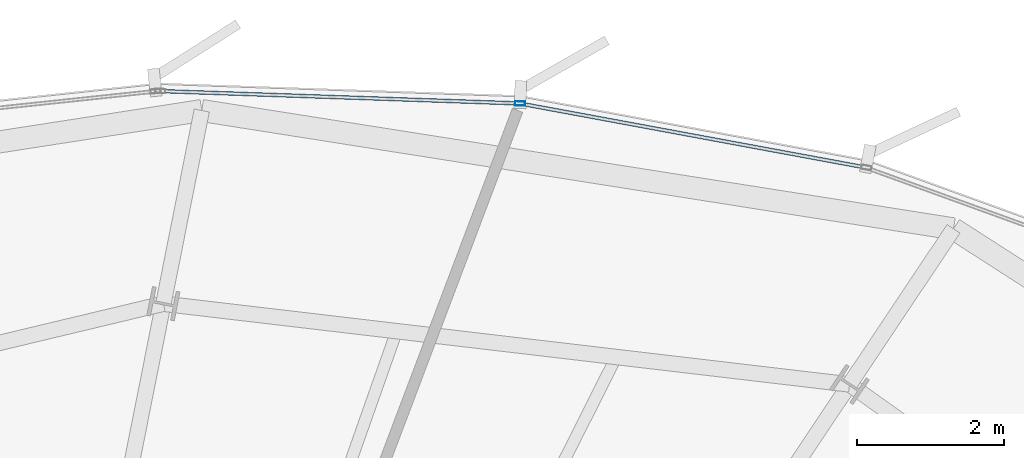
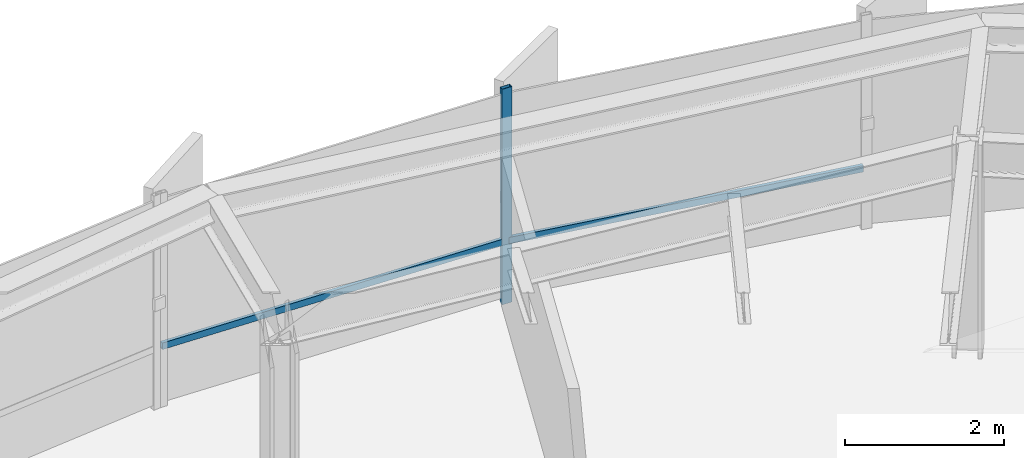
# One storey, part 27 of 35: 3 members, 1 element without a shape of its own.
"""IFC4 building model written with IfcOpenShell, lengths in metres."""

import ifcopenshell
import ifcopenshell.guid

model = None  # the IFC model being written
_history = None  # IfcOwnerHistory: only IFC2X3 demands one
_inside = {}  # id of a spatial element -> (the spatial element, [elements in it])
_under = {}  # id of a project, library or spatial element -> (it, [spatial elements below it])
_declared = {}  # id of a project -> (the project, [libraries it declares])
_typed = {}  # id of a type object -> (the type object, [elements of that type])
_made_of = {}  # id of a material, layer set ... -> (it, [elements and type objects made of it])


def new_model(schema):
    """Start an empty IFC model of exactly this schema.

    Asked for "IFC4X3", IfcOpenShell would pick the latest addendum, in which some entities
    have other attributes; the version numbers below select the first issue.
    IFC2X3 requires an IfcOwnerHistory on every rooted entity: one is made here for all.
    """
    global model, _history
    if schema == "IFC4X3":
        model = ifcopenshell.file(schema_version=(4, 3, 0, 0))
    else:
        model = ifcopenshell.file(schema=schema)
    _inside.clear()
    _under.clear()
    _declared.clear()
    _typed.clear()
    _made_of.clear()
    _history = None
    if model.schema == "IFC2X3":
        org = make("IfcOrganization", Name="unknown")
        user = make(
            "IfcPersonAndOrganization",
            ThePerson=make("IfcPerson", FamilyName="unknown"),
            TheOrganization=org,
        )
        app = make(
            "IfcApplication",
            ApplicationDeveloper=org,
            Version="unknown",
            ApplicationFullName="unknown",
            ApplicationIdentifier="unknown",
        )
        _history = make(
            "IfcOwnerHistory",
            OwningUser=user,
            OwningApplication=app,
            ChangeAction="ADDED",
            CreationDate=0,
        )
    return model


def make(cls, **values):
    """One entity of the class cls with the attributes given. An attribute that is None is left unset."""
    return model.create_entity(
        cls, **{name: value for name, value in values.items() if value is not None}
    )


def rooted(cls, **values):
    """An entity with a GlobalId (a new one), such as an element, a storey or a relation."""
    return make(cls, GlobalId=ifcopenshell.guid.new(), OwnerHistory=_history, **values)


def si_unit(unit_type, name, prefix=None):
    """IfcSIUnit, for example si_unit("LENGTHUNIT", "METRE", prefix="MILLI")."""
    return make("IfcSIUnit", UnitType=unit_type, Prefix=prefix, Name=name)


def assignment(units):
    """IfcUnitAssignment: the units of a project."""
    return None if units is None else make("IfcUnitAssignment", Units=units)


def point(xyz):
    """IfcCartesianPoint."""
    return None if xyz is None else make("IfcCartesianPoint", Coordinates=xyz)


def direction(xyz):
    """IfcDirection."""
    return None if xyz is None else make("IfcDirection", DirectionRatios=xyz)


def frame(location, z_axis=None, x_axis=None):
    """IfcAxis2Placement3D, a coordinate frame: its origin and axes. An axis left out is left unset."""
    return make(
        "IfcAxis2Placement3D",
        Location=point(location),
        Axis=direction(z_axis),
        RefDirection=direction(x_axis),
    )


def frame_2d(location, x_axis=None):
    """IfcAxis2Placement2D, a coordinate frame in the plane: its origin and x axis."""
    return make(
        "IfcAxis2Placement2D", Location=point(location), RefDirection=direction(x_axis)
    )


def origin():
    """The frame at (0, 0, 0) with its axes left unset."""
    return frame((0.0, 0.0, 0.0))


def origin_2d():
    """The frame at (0, 0) in the plane with its x axis left unset."""
    return frame_2d((0.0, 0.0))


def place(relative_to, where):
    """IfcLocalPlacement: puts the frame where relative to a parent placement (None: the world)."""
    return make(
        "IfcLocalPlacement", PlacementRelTo=relative_to, RelativePlacement=where
    )


def context(
    kind, dimensions, precision=None, world=None, true_north=None, identifier=None
):
    """IfcGeometricRepresentationContext, for example the 3D "Model" context."""
    return make(
        "IfcGeometricRepresentationContext",
        ContextIdentifier=identifier,
        ContextType=kind,
        CoordinateSpaceDimension=dimensions,
        Precision=precision,
        WorldCoordinateSystem=world,
        TrueNorth=true_north,
    )


def subcontext(parent, identifier, kind, view, scale=None):
    """IfcGeometricRepresentationSubContext, for example "Body" below "Model"."""
    return make(
        "IfcGeometricRepresentationSubContext",
        ContextIdentifier=identifier,
        ContextType=kind,
        ParentContext=parent,
        TargetScale=scale,
        TargetView=view,
    )


def project(units=None, contexts=None):
    """IfcProject with its units and contexts."""
    return rooted(
        "IfcProject",
        Name="project",
        RepresentationContexts=contexts,
        UnitsInContext=assignment(units),
    )


def spatial(cls, under=None, at=None, **own):
    """A site, building, storey or space (cls), placed at a placement, below another one or the project."""
    s = rooted(cls, ObjectPlacement=at, **own)
    if under is not None:
        _under.setdefault(under.id(), (under, []))[1].append(s)
    return s


def profile(cls, at=None, kind="AREA", **sizes):
    """A parametric profile (cls). Its sizes go by their IFC names, for example OverallWidth=200.0."""
    return make(cls, ProfileType=kind, Position=at, **sizes)


def hollow_rectangle(**sizes):
    """IfcRectangleHollowProfileDef."""
    return profile("IfcRectangleHollowProfileDef", **sizes)


def extrude(swept, where, along, depth):
    """IfcExtrudedAreaSolid: the profile swept, set in the frame where, extruded along a direction by depth."""
    return make(
        "IfcExtrudedAreaSolid",
        SweptArea=swept,
        Position=where,
        ExtrudedDirection=direction(along),
        Depth=depth,
    )


def shape(context_of_items, identifier, shape_type, items):
    """IfcShapeRepresentation: the items that make up one representation, for example the "Body"."""
    return make(
        "IfcShapeRepresentation",
        ContextOfItems=context_of_items,
        RepresentationIdentifier=identifier,
        RepresentationType=shape_type,
        Items=items,
    )


def source(mapping_origin, context_of_items, identifier, shape_type, items):
    """IfcRepresentationMap: a shape defined once, which mapped items show again and again."""
    return make(
        "IfcRepresentationMap",
        MappingOrigin=mapping_origin,
        MappedRepresentation=shape(context_of_items, identifier, shape_type, items),
    )


def transform(
    local_origin,
    x_axis=None,
    y_axis=None,
    z_axis=None,
    scale=None,
    scale2=None,
    scale3=None,
    uniform=True,
):
    """IfcCartesianTransformationOperator3D, or its non-uniform kind. x_axis, y_axis, z_axis: its Axis1, 2, 3."""
    if uniform:
        return make(
            "IfcCartesianTransformationOperator3D",
            Axis1=direction(x_axis),
            Axis2=direction(y_axis),
            LocalOrigin=point(local_origin),
            Scale=scale,
            Axis3=direction(z_axis),
        )
    return make(
        "IfcCartesianTransformationOperator3DnonUniform",
        Axis1=direction(x_axis),
        Axis2=direction(y_axis),
        LocalOrigin=point(local_origin),
        Scale=scale,
        Axis3=direction(z_axis),
        Scale2=scale2,
        Scale3=scale3,
    )


def mapped(mapping_source, mapping_target):
    """IfcMappedItem: shows the shape of a source again, moved by a transform."""
    return make(
        "IfcMappedItem", MappingSource=mapping_source, MappingTarget=mapping_target
    )


def material(Name=None, Category=None):
    """IfcMaterial."""
    return make("IfcMaterial", Name=Name, Category=Category)


def layer(
    of_material, thickness, ventilated=None, Name=None, Category=None, Priority=None
):
    """IfcMaterialLayer: one layer of a wall or slab, of a material (None: an air gap)."""
    return make(
        "IfcMaterialLayer",
        Material=of_material,
        LayerThickness=thickness,
        IsVentilated=ventilated,
        Name=Name,
        Category=Category,
        Priority=Priority,
    )


def layer_set(layers, Name=None):
    """IfcMaterialLayerSet."""
    return make("IfcMaterialLayerSet", MaterialLayers=layers, LayerSetName=Name)


def material_profile(
    of_material, cross_section, Name=None, Category=None, Priority=None
):
    """IfcMaterialProfile: a cross section and its material."""
    return make(
        "IfcMaterialProfile",
        Name=Name,
        Material=of_material,
        Profile=cross_section,
        Priority=Priority,
        Category=Category,
    )


def profile_set(profiles, Name=None, composite=None):
    """IfcMaterialProfileSet."""
    return make(
        "IfcMaterialProfileSet",
        Name=Name,
        MaterialProfiles=profiles,
        CompositeProfile=composite,
    )


def made_of(thing, what):
    """Note that an element or type object is made of a material, layer set ...; save() writes the relation."""
    if what is not None:
        _made_of.setdefault(what.id(), (what, []))[1].append(thing)
    return thing


def type_object(cls, material=None, **own):
    """A type object (cls), such as IfcWallType, which elements share."""
    return made_of(rooted(cls, **own), material)


def element(
    cls,
    number,
    at=None,
    inside=None,
    cuts=None,
    type_object=None,
    material=None,
    context=None,
    identifier="Body",
    shape_type=None,
    held_by="IfcProductDefinitionShape",
    body=None,
    shapes=None,
    **own,
):
    """One element of the class cls, such as IfcWall. Its Tag is "e" and its number.

    at: its placement. inside: the storey or other place that contains it. cuts: it is an
    opening in that element (IfcRelVoidsElement). A single representation is given by context,
    identifier, shape_type and body (its items); several are given by shapes. held_by: the class
    of the entity that holds the representations. save() writes the other relations.
    """
    e = rooted(cls, Tag="e%d" % number, ObjectPlacement=at, **own)
    if body is not None:
        shapes = [shape(context, identifier, shape_type, body)]
    if shapes is not None:
        e.Representation = make(held_by, Representations=shapes)
    if inside is not None:
        _inside.setdefault(inside.id(), (inside, []))[1].append(e)
    if cuts is not None:
        rooted(
            "IfcRelVoidsElement", RelatingBuildingElement=cuts, RelatedOpeningElement=e
        )
    if type_object is not None:
        _typed.setdefault(type_object.id(), (type_object, []))[1].append(e)
    return made_of(e, material)


def aggregate(whole, parts):
    """IfcRelAggregates: a whole, such as a stair, and the parts it consists of."""
    return rooted("IfcRelAggregates", RelatingObject=whole, RelatedObjects=parts)


def save(model, path):
    """Write the relations noted so far, then the file.

    IfcRelAggregates (storeys below a building ...), IfcRelContainedInSpatialStructure (elements
    in a storey), IfcRelDefinesByType, IfcRelAssociatesMaterial and IfcRelDeclares: one each for
    every whole, place, type object, material and project.
    """
    for whole, parts in _under.values():
        aggregate(whole, parts)
    for where, things in _inside.values():
        rooted(
            "IfcRelContainedInSpatialStructure",
            RelatedElements=things,
            RelatingStructure=where,
        )
    for kind, things in _typed.values():
        rooted("IfcRelDefinesByType", RelatedObjects=things, RelatingType=kind)
    for what, things in _made_of.values():
        rooted("IfcRelAssociatesMaterial", RelatedObjects=things, RelatingMaterial=what)
    for by, libraries in _declared.values():
        rooted("IfcRelDeclares", RelatingContext=by, RelatedDefinitions=libraries)
    model.write(path)


model = new_model("IFC4")

# Units and contexts
model_context = context("Model", 3, precision=1e-05, world=origin(), true_north=direction((0.0, 1.0)))
body_context = subcontext(model_context, "Body", "Model", "MODEL_VIEW")
ifc_project = project(units=[si_unit("LENGTHUNIT", "METRE"), si_unit("AREAUNIT", "SQUARE_METRE"), si_unit("VOLUMEUNIT", "CUBIC_METRE"), si_unit("PLANEANGLEUNIT", "RADIAN"), si_unit("MASSUNIT", "GRAM", prefix="KILO"), si_unit("THERMODYNAMICTEMPERATUREUNIT", "KELVIN")], contexts=[model_context])

# Site, building, storey
site_placement = place(None, origin())
site = spatial("IfcSite", under=ifc_project, at=site_placement, CompositionType="ELEMENT")
building_placement = place(site_placement, origin())
building = spatial("IfcBuilding", under=site, at=building_placement, Name="Kethvar Cultural Tower", CompositionType="ELEMENT")
storey_placement = place(building_placement, frame((0.0, 0.0, 139.449951171875)))
storey = spatial("IfcBuildingStorey", under=building, at=storey_placement, Name="L35", CompositionType="ELEMENT", Elevation=139.449951171875)

# Curtain wall, members
ifc_material = material(Name="Aluminium 6063-T6", Category="aluminium")
ifc_layer = layer(ifc_material, 0.179931640625, Name="Aluminium 6063-T6", Category="aluminium")
ifc_layer_set = layer_set([ifc_layer], Name="Aluminium 6063-T6 (180 mm)")
curtain_wall_type = type_object("IfcCurtainWallType", Name="CW-SYS-04-Z34", PredefinedType="NOTDEFINED", material=ifc_layer_set)
curtain_wall_placement = place(storey_placement, origin())
curtain_wall = element("IfcCurtainWall", 1, at=curtain_wall_placement, inside=storey, type_object=curtain_wall_type, Name="L35 Curtain Wall Run 01", PredefinedType="NOTDEFINED")
ifc_material_profile_1 = material_profile(ifc_material, hollow_rectangle(XDim=0.06005859375, YDim=0.139892578125, WallThickness=0.0048828125, at=origin_2d()), Name="Aluminium 6063-T6 — RHS140x60x5")
ifc_profile_set_1 = profile_set([ifc_material_profile_1], Name="Aluminium 6063-T6 — RHS140x60x5")
member_type_1 = type_object("IfcMemberType", Name="CW-SYS-04-Z34-MUL", PredefinedType="MULLION", material=ifc_profile_set_1)
shared_shape_1 = source(origin(), body_context, "Body", "SweptSolid", [
    extrude(hollow_rectangle(XDim=0.06005859375, YDim=0.139892578125, WallThickness=0.0048828125, at=origin_2d()), origin(), (0.0, 0.0, 1.0), 3.300048828125),
])
member_1_placement = place(storey_placement, frame((55.922607421875, 51.98388671875, 0.0), z_axis=(0.0, 0.0, 1.0), x_axis=(-0.034393655101, -0.999408363227, 0.0)))
member_1 = element("IfcMember", 2, at=member_1_placement, type_object=member_type_1, Name="CW-L35-R01 Mullion 6", PredefinedType="MULLION", context=body_context, shape_type="MappedRepresentation", body=[
    mapped(shared_shape_1, transform((0.0, 0.0, 0.0), scale=1.0)),
])
ifc_material_profile_2 = material_profile(ifc_material, hollow_rectangle(XDim=0.050048828125, YDim=0.10009765625, WallThickness=0.00390625, at=origin_2d()), Name="Aluminium 6063-T6 — RHS100x50x4")
ifc_profile_set_2 = profile_set([ifc_material_profile_2], Name="Aluminium 6063-T6 — RHS100x50x4")
member_type_2 = type_object("IfcMemberType", Name="CW-SYS-04-Z34-TRN", PredefinedType="USERDEFINED", material=ifc_profile_set_2)
shared_shape_2 = source(origin(), body_context, "Body", "SweptSolid", [
    extrude(hollow_rectangle(XDim=0.050048828125, YDim=0.10009765625, WallThickness=0.00390625, at=origin_2d()), origin(), (0.0, 0.0, 1.0), 4.718994140625),
])
member_2_placement = place(storey_placement, frame((60.589111328125, 51.118896484375, 0.949951171875), z_axis=(-0.983297097031, 0.182007744257, 0.0), x_axis=(-0.182007744257, -0.983297097031, 0.0)))
member_2 = element("IfcMember", 3, at=member_2_placement, type_object=member_type_2, Name="CW-L35-R01 Transom 5", ObjectType="TRANSOM", PredefinedType="USERDEFINED", context=body_context, shape_type="MappedRepresentation", body=[
    mapped(shared_shape_2, transform((0.0, 0.0, 0.0), scale=1.0)),
])
shared_shape_3 = source(origin(), body_context, "Body", "SweptSolid", [
    extrude(hollow_rectangle(XDim=0.050048828125, YDim=0.10009765625, WallThickness=0.00390625, at=origin_2d()), origin(), (0.0, 0.0, 1.0), 4.850830078125),
])
member_3_placement = place(storey_placement, frame((55.87939453125, 51.9853515625, 0.949951171875), z_axis=(-0.999408984331, 0.034375602372, 0.0), x_axis=(-0.034375602372, -0.999408984331, 0.0)))
member_3 = element("IfcMember", 4, at=member_3_placement, type_object=member_type_2, Name="CW-L35-R01 Transom 6", ObjectType="TRANSOM", PredefinedType="USERDEFINED", context=body_context, shape_type="MappedRepresentation", body=[
    mapped(shared_shape_3, transform((0.0, 0.0, 0.0), scale=1.0)),
])
aggregate(curtain_wall, [member_1, member_2, member_3])

save(model, "model.ifc")
